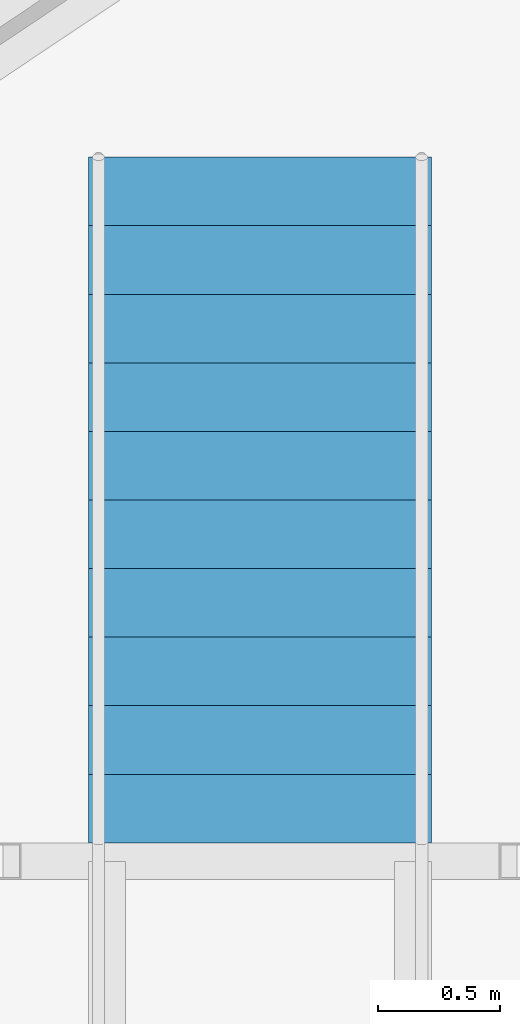
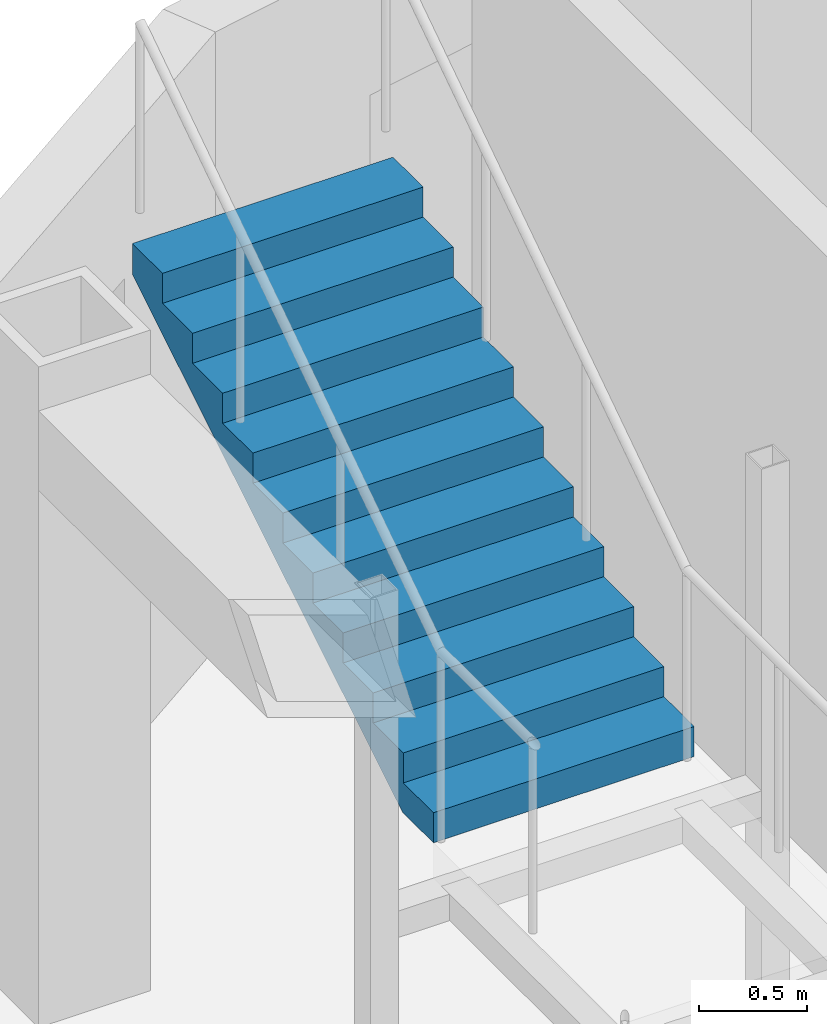
# One storey, part 25 of 26: 1 stair flight, 1 element without a shape of its own.
"""IFC4 building model written with IfcOpenShell, lengths in metres."""

from ifc_helpers import new_model, si_unit, direction, frame, origin, place, context, subcontext, project, spatial, triangles, material, type_object, element, aggregate, save


model = new_model("IFC4")

# Units and contexts
model_context = context("Model", 3, precision=1e-05, world=origin(), true_north=direction((0.0, 1.0)))
body_context = subcontext(model_context, "Body", "Model", "MODEL_VIEW")
ifc_project = project(units=[si_unit("LENGTHUNIT", "METRE"), si_unit("AREAUNIT", "SQUARE_METRE"), si_unit("VOLUMEUNIT", "CUBIC_METRE"), si_unit("PLANEANGLEUNIT", "RADIAN"), si_unit("MASSUNIT", "GRAM", prefix="KILO")], contexts=[model_context])

# Site, building, storey
site_placement = place(None, origin())
site = spatial("IfcSite", under=ifc_project, at=site_placement, CompositionType="ELEMENT")
building_placement = place(site_placement, origin())
building = spatial("IfcBuilding", under=site, at=building_placement, Name="Orbita Commons", CompositionType="ELEMENT")
storey_placement = place(building_placement, frame((0.0, 0.0, 231.550048828125)))
storey = spatial("IfcBuildingStorey", under=building, at=storey_placement, Name="L57", CompositionType="ELEMENT", Elevation=231.550048828125)

# Stair, stair flight
ifc_material_1 = material(Name="Steel ASTM A992 stringers, precast concrete C40/50 terrazzo treads", Category="concrete")
stair_type = type_object("IfcStairType", Name="Feature stair 22 risers 170 x 280 x 1400", PredefinedType="STRAIGHT_RUN_STAIR", material=ifc_material_1)
stair_placement = place(storey_placement, origin())
stair = element("IfcStair", 1, at=stair_placement, inside=storey, type_object=stair_type, Name="Neighbourhood stair L57 to L58", PredefinedType="STRAIGHT_RUN_STAIR")
ifc_material_2 = material(Name="Steel ASTM A992 stringers, precast concrete C40/50 terrazzo treads", Category="concrete")
stair_flight_type = type_object("IfcStairFlightType", Name="Feature stair flight 11 risers 170 x 1400", PredefinedType="STRAIGHT", material=ifc_material_2)
stair_flight_placement = place(storey_placement, frame((13.39990234375, 47.860107421875, 1.875), z_axis=(0.0, 0.0, 1.0), x_axis=(0.0, 1.0, 0.0)))
stair_flight = element("IfcStairFlight", 2, at=stair_flight_placement, type_object=stair_flight_type, Name="FS flight 2", NumberOfRisers=11, NumberOfTreads=10, PredefinedType="STRAIGHT", RiserHeight=0.170454545, TreadLength=0.28, context=body_context, shape_type="Tessellation", body=[
    triangles([(0.0, 0.699951, 0.0), (0.0, 0.699951, 0.021307), (0.0, 0.583293, 0.021307), (0.0, 0.583293, 0.0), (0.0, 0.466634, 0.021307), (0.0, 0.466634, 0.0), (0.0, 0.349976, 0.021307), (0.0, 0.349976, 0.0), (0.0, 0.233317, 0.021307), (0.0, 0.233317, 0.0), (0.0, 0.116659, 0.021307), (0.0, 0.116659, 0.0), (0.0, 0.0, 0.021307), (0.0, 0.0, 0.0), (0.0, -0.116659, 0.021307), (0.0, -0.116659, 0.0), (0.0, -0.233317, 0.021307), (0.0, -0.233317, 0.0), (0.0, -0.349976, 0.021307), (0.0, -0.349976, 0.0), (0.0, -0.466634, 0.021307), (0.0, -0.466634, 0.0), (0.0, -0.583293, 0.021307), (0.0, -0.583293, 0.0), (0.0, -0.699951, 0.021307), (0.0, -0.699951, 0.0), (0.0, 0.699951, 0.042614), (0.0, 0.583293, 0.042614), (0.0, 0.466634, 0.042614), (0.0, 0.349976, 0.042614), (0.0, 0.233317, 0.042614), (0.0, 0.116659, 0.042614), (0.0, 0.0, 0.042614), (0.0, -0.116659, 0.042614), (0.0, -0.233317, 0.042614), (0.0, -0.349976, 0.042614), (0.0, -0.466634, 0.042614), (0.0, -0.583293, 0.042614), (0.0, -0.699951, 0.042614), (0.0, 0.699951, 0.06392), (0.0, 0.583293, 0.06392), (0.0, 0.466634, 0.06392), (0.0, 0.349976, 0.06392), (0.0, 0.233317, 0.06392), (0.0, 0.116659, 0.06392), (0.0, 0.0, 0.06392), (0.0, -0.116659, 0.06392), (0.0, -0.233317, 0.06392), (0.0, -0.349976, 0.06392), (0.0, -0.466634, 0.06392), (0.0, -0.583293, 0.06392), (0.0, -0.699951, 0.06392), (0.0, 0.699951, 0.085227), (0.0, 0.583293, 0.085227), (0.0, 0.466634, 0.085227), (0.0, 0.349976, 0.085227), (0.0, 0.233317, 0.085227), (0.0, 0.116659, 0.085227), (0.0, 0.0, 0.085227), (0.0, -0.116659, 0.085227), (0.0, -0.233317, 0.085227), (0.0, -0.349976, 0.085227), (0.0, -0.466634, 0.085227), (0.0, -0.583293, 0.085227), (0.0, -0.699951, 0.085227), (0.0, 0.699951, 0.106534), (0.0, 0.583293, 0.106534), (0.0, 0.466634, 0.106534), (0.0, 0.349976, 0.106534), (0.0, 0.233317, 0.106534), (0.0, 0.116659, 0.106534), (0.0, 0.0, 0.106534), (0.0, -0.116659, 0.106534), (0.0, -0.233317, 0.106534), (0.0, -0.349976, 0.106534), (0.0, -0.466634, 0.106534), (0.0, -0.583293, 0.106534), (0.0, -0.699951, 0.106534), (0.0, 0.699951, 0.127841), (0.0, 0.583293, 0.127841), (0.0, 0.466634, 0.127841), (0.0, 0.349976, 0.127841), (0.0, 0.233317, 0.127841), (0.0, 0.116659, 0.127841), (0.0, 0.0, 0.127841), (0.0, -0.116659, 0.127841), (0.0, -0.233317, 0.127841), (0.0, -0.349976, 0.127841), (0.0, -0.466634, 0.127841), (0.0, -0.583293, 0.127841), (0.0, -0.699951, 0.127841), (0.0, 0.699951, 0.149148), (0.0, 0.583293, 0.149148), (0.0, 0.466634, 0.149148), (0.0, 0.349976, 0.149148), (0.0, 0.233317, 0.149148), (0.0, 0.116659, 0.149148), (0.0, 0.0, 0.149148), (0.0, -0.116659, 0.149148), (0.0, -0.233317, 0.149148), (0.0, -0.349976, 0.149148), (0.0, -0.466634, 0.149148), (0.0, -0.583293, 0.149148), (0.0, -0.699951, 0.149148), (0.0, 0.699951, 0.170455), (0.0, 0.583293, 0.170455), (0.0, 0.466634, 0.170455), (0.0, 0.349976, 0.170455), (0.0, 0.233317, 0.170455), (0.0, 0.116659, 0.170455), (0.0, 0.0, 0.170455), (0.0, -0.116659, 0.170455), (0.0, -0.233317, 0.170455), (0.0, -0.349976, 0.170455), (0.0, -0.466634, 0.170455), (0.0, -0.583293, 0.170455), (0.0, -0.699951, 0.170455), (0.28, 0.699951, 0.170455), (0.28, 0.583293, 0.170455), (0.28, 0.466634, 0.170455), (0.28, 0.349976, 0.170455), (0.28, 0.233317, 0.170455), (0.28, 0.116659, 0.170455), (0.28, 0.0, 0.170455), (0.28, -0.116659, 0.170455), (0.28, -0.233317, 0.170455), (0.28, -0.349976, 0.170455), (0.28, -0.466634, 0.170455), (0.28, -0.583293, 0.170455), (0.28, -0.699951, 0.170455), (0.28, 0.699951, 0.340909), (0.28, 0.583293, 0.340909), (0.28, 0.466634, 0.340909), (0.28, 0.349976, 0.340909), (0.28, 0.233317, 0.340909), (0.28, 0.116659, 0.340909), (0.28, 0.0, 0.340909), (0.28, -0.116659, 0.340909), (0.28, -0.233317, 0.340909), (0.28, -0.349976, 0.340909), (0.28, -0.466634, 0.340909), (0.28, -0.583293, 0.340909), (0.28, -0.699951, 0.340909), (0.56, 0.699951, 0.340909), (0.56, 0.583293, 0.340909), (0.56, 0.466634, 0.340909), (0.56, 0.349976, 0.340909), (0.56, 0.233317, 0.340909), (0.56, 0.116659, 0.340909), (0.56, 0.0, 0.340909), (0.56, -0.116659, 0.340909), (0.56, -0.233317, 0.340909), (0.56, -0.349976, 0.340909), (0.56, -0.466634, 0.340909), (0.56, -0.583293, 0.340909), (0.56, -0.699951, 0.340909), (0.56, 0.699951, 0.511364), (0.56, 0.583293, 0.511364), (0.56, 0.466634, 0.511364), (0.56, 0.349976, 0.511364), (0.56, 0.233317, 0.511364), (0.56, 0.116659, 0.511364), (0.56, 0.0, 0.511364), (0.56, -0.116659, 0.511364), (0.56, -0.233317, 0.511364), (0.56, -0.349976, 0.511364), (0.56, -0.466634, 0.511364), (0.56, -0.583293, 0.511364), (0.56, -0.699951, 0.511364), (0.84, 0.699951, 0.511364), (0.84, 0.583293, 0.511364), (0.84, 0.466634, 0.511364), (0.84, 0.349976, 0.511364), (0.84, 0.233317, 0.511364), (0.84, 0.116659, 0.511364), (0.84, 0.0, 0.511364), (0.84, -0.116659, 0.511364), (0.84, -0.233317, 0.511364), (0.84, -0.349976, 0.511364), (0.84, -0.466634, 0.511364), (0.84, -0.583293, 0.511364), (0.84, -0.699951, 0.511364), (0.84, 0.699951, 0.681818), (0.84, 0.583293, 0.681818), (0.84, 0.466634, 0.681818), (0.84, 0.349976, 0.681818), (0.84, 0.233317, 0.681818), (0.84, 0.116659, 0.681818), (0.84, 0.0, 0.681818), (0.84, -0.116659, 0.681818), (0.84, -0.233317, 0.681818), (0.84, -0.349976, 0.681818), (0.84, -0.466634, 0.681818), (0.84, -0.583293, 0.681818), (0.84, -0.699951, 0.681818), (1.12, 0.699951, 0.681818), (1.12, 0.583293, 0.681818), (1.12, 0.466634, 0.681818), (1.12, 0.349976, 0.681818), (1.12, 0.233317, 0.681818), (1.12, 0.116659, 0.681818), (1.12, 0.0, 0.681818), (1.12, -0.116659, 0.681818), (1.12, -0.233317, 0.681818), (1.12, -0.349976, 0.681818), (1.12, -0.466634, 0.681818), (1.12, -0.583293, 0.681818), (1.12, -0.699951, 0.681818), (1.12, 0.699951, 0.852273), (1.12, 0.583293, 0.852273), (1.12, 0.466634, 0.852273), (1.12, 0.349976, 0.852273), (1.12, 0.233317, 0.852273), (1.12, 0.116659, 0.852273), (1.12, 0.0, 0.852273), (1.12, -0.116659, 0.852273), (1.12, -0.233317, 0.852273), (1.12, -0.349976, 0.852273), (1.12, -0.466634, 0.852273), (1.12, -0.583293, 0.852273), (1.12, -0.699951, 0.852273), (1.4, 0.699951, 0.852273), (1.4, 0.583293, 0.852273), (1.4, 0.466634, 0.852273), (1.4, 0.349976, 0.852273), (1.4, 0.233317, 0.852273), (1.4, 0.116659, 0.852273), (1.4, 0.0, 0.852273), (1.4, -0.116659, 0.852273), (1.4, -0.233317, 0.852273), (1.4, -0.349976, 0.852273), (1.4, -0.466634, 0.852273), (1.4, -0.583293, 0.852273), (1.4, -0.699951, 0.852273), (1.4, 0.699951, 1.022727), (1.4, 0.583293, 1.022727), (1.4, 0.466634, 1.022727), (1.4, 0.349976, 1.022727), (1.4, 0.233317, 1.022727), (1.4, 0.116659, 1.022727), (1.4, 0.0, 1.022727), (1.4, -0.116659, 1.022727), (1.4, -0.233317, 1.022727), (1.4, -0.349976, 1.022727), (1.4, -0.466634, 1.022727), (1.4, -0.583293, 1.022727), (1.4, -0.699951, 1.022727), (1.68, 0.699951, 1.022727), (1.68, 0.583293, 1.022727), (1.68, 0.466634, 1.022727), (1.68, 0.349976, 1.022727), (1.68, 0.233317, 1.022727), (1.68, 0.116659, 1.022727), (1.68, 0.0, 1.022727), (1.68, -0.116659, 1.022727), (1.68, -0.233317, 1.022727), (1.68, -0.349976, 1.022727), (1.68, -0.466634, 1.022727), (1.68, -0.583293, 1.022727), (1.68, -0.699951, 1.022727), (1.68, 0.699951, 1.193182), (1.68, 0.583293, 1.193182), (1.68, 0.466634, 1.193182), (1.68, 0.349976, 1.193182), (1.68, 0.233317, 1.193182), (1.68, 0.116659, 1.193182), (1.68, 0.0, 1.193182), (1.68, -0.116659, 1.193182), (1.68, -0.233317, 1.193182), (1.68, -0.349976, 1.193182), (1.68, -0.466634, 1.193182), (1.68, -0.583293, 1.193182), (1.68, -0.699951, 1.193182), (1.96, 0.699951, 1.193182), (1.96, 0.583293, 1.193182), (1.96, 0.466634, 1.193182), (1.96, 0.349976, 1.193182), (1.96, 0.233317, 1.193182), (1.96, 0.116659, 1.193182), (1.96, 0.0, 1.193182), (1.96, -0.116659, 1.193182), (1.96, -0.233317, 1.193182), (1.96, -0.349976, 1.193182), (1.96, -0.466634, 1.193182), (1.96, -0.583293, 1.193182), (1.96, -0.699951, 1.193182), (1.96, 0.699951, 1.363636), (1.96, 0.583293, 1.363636), (1.96, 0.466634, 1.363636), (1.96, 0.349976, 1.363636), (1.96, 0.233317, 1.363636), (1.96, 0.116659, 1.363636), (1.96, 0.0, 1.363636), (1.96, -0.116659, 1.363636), (1.96, -0.233317, 1.363636), (1.96, -0.349976, 1.363636), (1.96, -0.466634, 1.363636), (1.96, -0.583293, 1.363636), (1.96, -0.699951, 1.363636), (2.24, 0.699951, 1.363636), (2.24, 0.583293, 1.363636), (2.24, 0.466634, 1.363636), (2.24, 0.349976, 1.363636), (2.24, 0.233317, 1.363636), (2.24, 0.116659, 1.363636), (2.24, 0.0, 1.363636), (2.24, -0.116659, 1.363636), (2.24, -0.233317, 1.363636), (2.24, -0.349976, 1.363636), (2.24, -0.466634, 1.363636), (2.24, -0.583293, 1.363636), (2.24, -0.699951, 1.363636), (2.24, 0.699951, 1.534091), (2.24, 0.583293, 1.534091), (2.24, 0.466634, 1.534091), (2.24, 0.349976, 1.534091), (2.24, 0.233317, 1.534091), (2.24, 0.116659, 1.534091), (2.24, 0.0, 1.534091), (2.24, -0.116659, 1.534091), (2.24, -0.233317, 1.534091), (2.24, -0.349976, 1.534091), (2.24, -0.466634, 1.534091), (2.24, -0.583293, 1.534091), (2.24, -0.699951, 1.534091), (2.52, 0.699951, 1.534091), (2.52, 0.583293, 1.534091), (2.52, 0.466634, 1.534091), (2.52, 0.349976, 1.534091), (2.52, 0.233317, 1.534091), (2.52, 0.116659, 1.534091), (2.52, 0.0, 1.534091), (2.52, -0.116659, 1.534091), (2.52, -0.233317, 1.534091), (2.52, -0.349976, 1.534091), (2.52, -0.466634, 1.534091), (2.52, -0.583293, 1.534091), (2.52, -0.699951, 1.534091), (2.52, 0.699951, 1.704545), (2.52, 0.583293, 1.704545), (2.52, 0.466634, 1.704545), (2.52, 0.349976, 1.704545), (2.52, 0.233317, 1.704545), (2.52, 0.116659, 1.704545), (2.52, 0.0, 1.704545), (2.52, -0.116659, 1.704545), (2.52, -0.233317, 1.704545), (2.52, -0.349976, 1.704545), (2.52, -0.466634, 1.704545), (2.52, -0.583293, 1.704545), (2.52, -0.699951, 1.704545), (2.8, 0.699951, 1.704545), (2.8, 0.583293, 1.704545), (2.8, 0.466634, 1.704545), (2.8, 0.349976, 1.704545), (2.8, 0.233317, 1.704545), (2.8, 0.116659, 1.704545), (2.8, 0.0, 1.704545), (2.8, -0.116659, 1.704545), (2.8, -0.233317, 1.704545), (2.8, -0.349976, 1.704545), (2.8, -0.466634, 1.704545), (2.8, -0.583293, 1.704545), (2.8, -0.699951, 1.704545), (2.8, 0.699951, 1.682609), (2.8, 0.583293, 1.682609), (2.8, 0.466634, 1.682609), (2.8, 0.349976, 1.682609), (2.8, 0.233317, 1.682609), (2.8, 0.116659, 1.682609), (2.8, 0.0, 1.682609), (2.8, -0.116659, 1.682609), (2.8, -0.233317, 1.682609), (2.8, -0.349976, 1.682609), (2.8, -0.466634, 1.682609), (2.8, -0.583293, 1.682609), (2.8, -0.699951, 1.682609), (2.8, 0.699951, 1.660672), (2.8, 0.583293, 1.660672), (2.8, 0.466634, 1.660672), (2.8, 0.349976, 1.660672), (2.8, 0.233317, 1.660672), (2.8, 0.116659, 1.660672), (2.8, 0.0, 1.660672), (2.8, -0.116659, 1.660672), (2.8, -0.233317, 1.660672), (2.8, -0.349976, 1.660672), (2.8, -0.466634, 1.660672), (2.8, -0.583293, 1.660672), (2.8, -0.699951, 1.660672), (2.8, 0.699951, 1.638735), (2.8, 0.583293, 1.638735), (2.8, 0.466634, 1.638735), (2.8, 0.349976, 1.638735), (2.8, 0.233317, 1.638735), (2.8, 0.116659, 1.638735), (2.8, 0.0, 1.638735), (2.8, -0.116659, 1.638735), (2.8, -0.233317, 1.638735), (2.8, -0.349976, 1.638735), (2.8, -0.466634, 1.638735), (2.8, -0.583293, 1.638735), (2.8, -0.699951, 1.638735), (2.8, 0.699951, 1.616798), (2.8, 0.583293, 1.616798), (2.8, 0.466634, 1.616798), (2.8, 0.349976, 1.616798), (2.8, 0.233317, 1.616798), (2.8, 0.116659, 1.616798), (2.8, 0.0, 1.616798), (2.8, -0.116659, 1.616798), (2.8, -0.233317, 1.616798), (2.8, -0.349976, 1.616798), (2.8, -0.466634, 1.616798), (2.8, -0.583293, 1.616798), (2.8, -0.699951, 1.616798), (2.8, 0.699951, 1.594861), (2.8, 0.583293, 1.594861), (2.8, 0.466634, 1.594861), (2.8, 0.349976, 1.594861), (2.8, 0.233317, 1.594861), (2.8, 0.116659, 1.594861), (2.8, 0.0, 1.594861), (2.8, -0.116659, 1.594861), (2.8, -0.233317, 1.594861), (2.8, -0.349976, 1.594861), (2.8, -0.466634, 1.594861), (2.8, -0.583293, 1.594861), (2.8, -0.699951, 1.594861), (2.8, 0.699951, 1.572925), (2.8, 0.583293, 1.572925), (2.8, 0.466634, 1.572925), (2.8, 0.349976, 1.572925), (2.8, 0.233317, 1.572925), (2.8, 0.116659, 1.572925), (2.8, 0.0, 1.572925), (2.8, -0.116659, 1.572925), (2.8, -0.233317, 1.572925), (2.8, -0.349976, 1.572925), (2.8, -0.466634, 1.572925), (2.8, -0.583293, 1.572925), (2.8, -0.699951, 1.572925), (2.8, 0.699951, 1.550988), (2.8, 0.583293, 1.550988), (2.8, 0.466634, 1.550988), (2.8, 0.349976, 1.550988), (2.8, 0.233317, 1.550988), (2.8, 0.116659, 1.550988), (2.8, 0.0, 1.550988), (2.8, -0.116659, 1.550988), (2.8, -0.233317, 1.550988), (2.8, -0.349976, 1.550988), (2.8, -0.466634, 1.550988), (2.8, -0.583293, 1.550988), (2.8, -0.699951, 1.550988), (2.8, 0.699951, 1.529051), (2.8, 0.583293, 1.529051), (2.8, 0.466634, 1.529051), (2.8, 0.349976, 1.529051), (2.8, 0.233317, 1.529051), (2.8, 0.116659, 1.529051), (2.8, 0.0, 1.529051), (2.8, -0.116659, 1.529051), (2.8, -0.233317, 1.529051), (2.8, -0.349976, 1.529051), (2.8, -0.466634, 1.529051), (2.8, -0.583293, 1.529051), (2.8, -0.699951, 1.529051), (0.288279, 0.699951, 0.0), (0.288279, 0.583293, 0.0), (0.288279, 0.466634, 0.0), (0.288279, 0.349976, 0.0), (0.288279, 0.233317, 0.0), (0.288279, 0.116659, 0.0), (0.288279, 0.0, 0.0), (0.288279, -0.116659, 0.0), (0.288279, -0.233317, 0.0), (0.288279, -0.349976, 0.0), (0.288279, -0.466634, 0.0), (0.288279, -0.583293, 0.0), (0.288279, -0.699951, 0.0)], [[3, 2, 1], [4, 3, 1], [5, 3, 4], [6, 5, 4], [7, 5, 6], [8, 7, 6], [9, 7, 8], [10, 9, 8], [11, 9, 10], [12, 11, 10], [13, 11, 12], [14, 13, 12], [15, 13, 14], [16, 15, 14], [17, 15, 16], [18, 17, 16], [19, 17, 18], [20, 19, 18], [21, 19, 20], [22, 21, 20], [23, 21, 22], [24, 23, 22], [25, 23, 24], [26, 25, 24], [28, 27, 2], [3, 28, 2], [29, 28, 3], [5, 29, 3], [30, 29, 5], [7, 30, 5], [31, 30, 7], [9, 31, 7], [32, 31, 9], [11, 32, 9], [33, 32, 11], [13, 33, 11], [34, 33, 13], [15, 34, 13], [35, 34, 15], [17, 35, 15], [36, 35, 17], [19, 36, 17], [37, 36, 19], [21, 37, 19], [38, 37, 21], [23, 38, 21], [39, 38, 23], [25, 39, 23], [41, 40, 27], [28, 41, 27], [42, 41, 28], [29, 42, 28], [43, 42, 29], [30, 43, 29], [44, 43, 30], [31, 44, 30], [45, 44, 31], [32, 45, 31], [46, 45, 32], [33, 46, 32], [47, 46, 33], [34, 47, 33], [48, 47, 34], [35, 48, 34], [49, 48, 35], [36, 49, 35], [50, 49, 36], [37, 50, 36], [51, 50, 37], [38, 51, 37], [52, 51, 38], [39, 52, 38], [54, 53, 40], [41, 54, 40], [55, 54, 41], [42, 55, 41], [56, 55, 42], [43, 56, 42], [57, 56, 43], [44, 57, 43], [58, 57, 44], [45, 58, 44], [59, 58, 45], [46, 59, 45], [60, 59, 46], [47, 60, 46], [61, 60, 47], [48, 61, 47], [62, 61, 48], [49, 62, 48], [63, 62, 49], [50, 63, 49], [64, 63, 50], [51, 64, 50], [65, 64, 51], [52, 65, 51], [67, 66, 53], [54, 67, 53], [68, 67, 54], [55, 68, 54], [69, 68, 55], [56, 69, 55], [70, 69, 56], [57, 70, 56], [71, 70, 57], [58, 71, 57], [72, 71, 58], [59, 72, 58], [73, 72, 59], [60, 73, 59], [74, 73, 60], [61, 74, 60], [75, 74, 61], [62, 75, 61], [76, 75, 62], [63, 76, 62], [77, 76, 63], [64, 77, 63], [78, 77, 64], [65, 78, 64], [80, 79, 66], [67, 80, 66], [81, 80, 67], [68, 81, 67], [82, 81, 68], [69, 82, 68], [83, 82, 69], [70, 83, 69], [84, 83, 70], [71, 84, 70], [85, 84, 71], [72, 85, 71], [86, 85, 72], [73, 86, 72], [87, 86, 73], [74, 87, 73], [88, 87, 74], [75, 88, 74], [89, 88, 75], [76, 89, 75], [90, 89, 76], [77, 90, 76], [91, 90, 77], [78, 91, 77], [93, 92, 79], [80, 93, 79], [94, 93, 80], [81, 94, 80], [95, 94, 81], [82, 95, 81], [96, 95, 82], [83, 96, 82], [97, 96, 83], [84, 97, 83], [98, 97, 84], [85, 98, 84], [99, 98, 85], [86, 99, 85], [100, 99, 86], [87, 100, 86], [101, 100, 87], [88, 101, 87], [102, 101, 88], [89, 102, 88], [103, 102, 89], [90, 103, 89], [104, 103, 90], [91, 104, 90], [106, 105, 92], [93, 106, 92], [107, 106, 93], [94, 107, 93], [108, 107, 94], [95, 108, 94], [109, 108, 95], [96, 109, 95], [110, 109, 96], [97, 110, 96], [111, 110, 97], [98, 111, 97], [112, 111, 98], [99, 112, 98], [113, 112, 99], [100, 113, 99], [114, 113, 100], [101, 114, 100], [115, 114, 101], [102, 115, 101], [116, 115, 102], [103, 116, 102], [117, 116, 103], [104, 117, 103], [119, 118, 105], [106, 119, 105], [120, 119, 106], [107, 120, 106], [121, 120, 107], [108, 121, 107], [122, 121, 108], [109, 122, 108], [123, 122, 109], [110, 123, 109], [124, 123, 110], [111, 124, 110], [125, 124, 111], [112, 125, 111], [126, 125, 112], [113, 126, 112], [127, 126, 113], [114, 127, 113], [128, 127, 114], [115, 128, 114], [129, 128, 115], [116, 129, 115], [130, 129, 116], [117, 130, 116], [132, 131, 118], [119, 132, 118], [133, 132, 119], [120, 133, 119], [134, 133, 120], [121, 134, 120], [135, 134, 121], [122, 135, 121], [136, 135, 122], [123, 136, 122], [137, 136, 123], [124, 137, 123], [138, 137, 124], [125, 138, 124], [139, 138, 125], [126, 139, 125], [140, 139, 126], [127, 140, 126], [141, 140, 127], [128, 141, 127], [142, 141, 128], [129, 142, 128], [143, 142, 129], [130, 143, 129], [145, 144, 131], [132, 145, 131], [146, 145, 132], [133, 146, 132], [147, 146, 133], [134, 147, 133], [148, 147, 134], [135, 148, 134], [149, 148, 135], [136, 149, 135], [150, 149, 136], [137, 150, 136], [151, 150, 137], [138, 151, 137], [152, 151, 138], [139, 152, 138], [153, 152, 139], [140, 153, 139], [154, 153, 140], [141, 154, 140], [155, 154, 141], [142, 155, 141], [156, 155, 142], [143, 156, 142], [158, 157, 144], [145, 158, 144], [159, 158, 145], [146, 159, 145], [160, 159, 146], [147, 160, 146], [161, 160, 147], [148, 161, 147], [162, 161, 148], [149, 162, 148], [163, 162, 149], [150, 163, 149], [164, 163, 150], [151, 164, 150], [165, 164, 151], [152, 165, 151], [166, 165, 152], [153, 166, 152], [167, 166, 153], [154, 167, 153], [168, 167, 154], [155, 168, 154], [169, 168, 155], [156, 169, 155], [171, 170, 157], [158, 171, 157], [172, 171, 158], [159, 172, 158], [173, 172, 159], [160, 173, 159], [174, 173, 160], [161, 174, 160], [175, 174, 161], [162, 175, 161], [176, 175, 162], [163, 176, 162], [177, 176, 163], [164, 177, 163], [178, 177, 164], [165, 178, 164], [179, 178, 165], [166, 179, 165], [180, 179, 166], [167, 180, 166], [181, 180, 167], [168, 181, 167], [182, 181, 168], [169, 182, 168], [184, 183, 170], [171, 184, 170], [185, 184, 171], [172, 185, 171], [186, 185, 172], [173, 186, 172], [187, 186, 173], [174, 187, 173], [188, 187, 174], [175, 188, 174], [189, 188, 175], [176, 189, 175], [190, 189, 176], [177, 190, 176], [191, 190, 177], [178, 191, 177], [192, 191, 178], [179, 192, 178], [193, 192, 179], [180, 193, 179], [194, 193, 180], [181, 194, 180], [195, 194, 181], [182, 195, 181], [197, 196, 183], [184, 197, 183], [198, 197, 184], [185, 198, 184], [199, 198, 185], [186, 199, 185], [200, 199, 186], [187, 200, 186], [201, 200, 187], [188, 201, 187], [202, 201, 188], [189, 202, 188], [203, 202, 189], [190, 203, 189], [204, 203, 190], [191, 204, 190], [205, 204, 191], [192, 205, 191], [206, 205, 192], [193, 206, 192], [207, 206, 193], [194, 207, 193], [208, 207, 194], [195, 208, 194], [210, 209, 196], [197, 210, 196], [211, 210, 197], [198, 211, 197], [212, 211, 198], [199, 212, 198], [213, 212, 199], [200, 213, 199], [214, 213, 200], [201, 214, 200], [215, 214, 201], [202, 215, 201], [216, 215, 202], [203, 216, 202], [217, 216, 203], [204, 217, 203], [218, 217, 204], [205, 218, 204], [219, 218, 205], [206, 219, 205], [220, 219, 206], [207, 220, 206], [221, 220, 207], [208, 221, 207], [223, 222, 209], [210, 223, 209], [224, 223, 210], [211, 224, 210], [225, 224, 211], [212, 225, 211], [226, 225, 212], [213, 226, 212], [227, 226, 213], [214, 227, 213], [228, 227, 214], [215, 228, 214], [229, 228, 215], [216, 229, 215], [230, 229, 216], [217, 230, 216], [231, 230, 217], [218, 231, 217], [232, 231, 218], [219, 232, 218], [233, 232, 219], [220, 233, 219], [234, 233, 220], [221, 234, 220], [236, 235, 222], [223, 236, 222], [237, 236, 223], [224, 237, 223], [238, 237, 224], [225, 238, 224], [239, 238, 225], [226, 239, 225], [240, 239, 226], [227, 240, 226], [241, 240, 227], [228, 241, 227], [242, 241, 228], [229, 242, 228], [243, 242, 229], [230, 243, 229], [244, 243, 230], [231, 244, 230], [245, 244, 231], [232, 245, 231], [246, 245, 232], [233, 246, 232], [247, 246, 233], [234, 247, 233], [249, 248, 235], [236, 249, 235], [250, 249, 236], [237, 250, 236], [251, 250, 237], [238, 251, 237], [252, 251, 238], [239, 252, 238], [253, 252, 239], [240, 253, 239], [254, 253, 240], [241, 254, 240], [255, 254, 241], [242, 255, 241], [256, 255, 242], [243, 256, 242], [257, 256, 243], [244, 257, 243], [258, 257, 244], [245, 258, 244], [259, 258, 245], [246, 259, 245], [260, 259, 246], [247, 260, 246], [262, 261, 248], [249, 262, 248], [263, 262, 249], [250, 263, 249], [264, 263, 250], [251, 264, 250], [265, 264, 251], [252, 265, 251], [266, 265, 252], [253, 266, 252], [267, 266, 253], [254, 267, 253], [268, 267, 254], [255, 268, 254], [269, 268, 255], [256, 269, 255], [270, 269, 256], [257, 270, 256], [271, 270, 257], [258, 271, 257], [272, 271, 258], [259, 272, 258], [273, 272, 259], [260, 273, 259], [275, 274, 261], [262, 275, 261], [276, 275, 262], [263, 276, 262], [277, 276, 263], [264, 277, 263], [278, 277, 264], [265, 278, 264], [279, 278, 265], [266, 279, 265], [280, 279, 266], [267, 280, 266], [281, 280, 267], [268, 281, 267], [282, 281, 268], [269, 282, 268], [283, 282, 269], [270, 283, 269], [284, 283, 270], [271, 284, 270], [285, 284, 271], [272, 285, 271], [286, 285, 272], [273, 286, 272], [288, 287, 274], [275, 288, 274], [289, 288, 275], [276, 289, 275], [290, 289, 276], [277, 290, 276], [291, 290, 277], [278, 291, 277], [292, 291, 278], [279, 292, 278], [293, 292, 279], [280, 293, 279], [294, 293, 280], [281, 294, 280], [295, 294, 281], [282, 295, 281], [296, 295, 282], [283, 296, 282], [297, 296, 283], [284, 297, 283], [298, 297, 284], [285, 298, 284], [299, 298, 285], [286, 299, 285], [301, 300, 287], [288, 301, 287], [302, 301, 288], [289, 302, 288], [303, 302, 289], [290, 303, 289], [304, 303, 290], [291, 304, 290], [305, 304, 291], [292, 305, 291], [306, 305, 292], [293, 306, 292], [307, 306, 293], [294, 307, 293], [308, 307, 294], [295, 308, 294], [309, 308, 295], [296, 309, 295], [310, 309, 296], [297, 310, 296], [311, 310, 297], [298, 311, 297], [312, 311, 298], [299, 312, 298], [314, 313, 300], [301, 314, 300], [315, 314, 301], [302, 315, 301], [316, 315, 302], [303, 316, 302], [317, 316, 303], [304, 317, 303], [318, 317, 304], [305, 318, 304], [319, 318, 305], [306, 319, 305], [320, 319, 306], [307, 320, 306], [321, 320, 307], [308, 321, 307], [322, 321, 308], [309, 322, 308], [323, 322, 309], [310, 323, 309], [324, 323, 310], [311, 324, 310], [325, 324, 311], [312, 325, 311], [327, 326, 313], [314, 327, 313], [328, 327, 314], [315, 328, 314], [329, 328, 315], [316, 329, 315], [330, 329, 316], [317, 330, 316], [331, 330, 317], [318, 331, 317], [332, 331, 318], [319, 332, 318], [333, 332, 319], [320, 333, 319], [334, 333, 320], [321, 334, 320], [335, 334, 321], [322, 335, 321], [336, 335, 322], [323, 336, 322], [337, 336, 323], [324, 337, 323], [338, 337, 324], [325, 338, 324], [340, 339, 326], [327, 340, 326], [341, 340, 327], [328, 341, 327], [342, 341, 328], [329, 342, 328], [343, 342, 329], [330, 343, 329], [344, 343, 330], [331, 344, 330], [345, 344, 331], [332, 345, 331], [346, 345, 332], [333, 346, 332], [347, 346, 333], [334, 347, 333], [348, 347, 334], [335, 348, 334], [349, 348, 335], [336, 349, 335], [350, 349, 336], [337, 350, 336], [351, 350, 337], [338, 351, 337], [353, 352, 339], [340, 353, 339], [354, 353, 340], [341, 354, 340], [355, 354, 341], [342, 355, 341], [356, 355, 342], [343, 356, 342], [357, 356, 343], [344, 357, 343], [358, 357, 344], [345, 358, 344], [359, 358, 345], [346, 359, 345], [360, 359, 346], [347, 360, 346], [361, 360, 347], [348, 361, 347], [362, 361, 348], [349, 362, 348], [363, 362, 349], [350, 363, 349], [364, 363, 350], [351, 364, 350], [366, 365, 352], [353, 366, 352], [367, 366, 353], [354, 367, 353], [368, 367, 354], [355, 368, 354], [369, 368, 355], [356, 369, 355], [370, 369, 356], [357, 370, 356], [371, 370, 357], [358, 371, 357], [372, 371, 358], [359, 372, 358], [373, 372, 359], [360, 373, 359], [374, 373, 360], [361, 374, 360], [375, 374, 361], [362, 375, 361], [376, 375, 362], [363, 376, 362], [377, 376, 363], [364, 377, 363], [379, 378, 365], [366, 379, 365], [380, 379, 366], [367, 380, 366], [381, 380, 367], [368, 381, 367], [382, 381, 368], [369, 382, 368], [383, 382, 369], [370, 383, 369], [384, 383, 370], [371, 384, 370], [385, 384, 371], [372, 385, 371], [386, 385, 372], [373, 386, 372], [387, 386, 373], [374, 387, 373], [388, 387, 374], [375, 388, 374], [389, 388, 375], [376, 389, 375], [390, 389, 376], [377, 390, 376], [392, 391, 378], [379, 392, 378], [393, 392, 379], [380, 393, 379], [394, 393, 380], [381, 394, 380], [395, 394, 381], [382, 395, 381], [396, 395, 382], [383, 396, 382], [397, 396, 383], [384, 397, 383], [398, 397, 384], [385, 398, 384], [399, 398, 385], [386, 399, 385], [400, 399, 386], [387, 400, 386], [401, 400, 387], [388, 401, 387], [402, 401, 388], [389, 402, 388], [403, 402, 389], [390, 403, 389], [405, 404, 391], [392, 405, 391], [406, 405, 392], [393, 406, 392], [407, 406, 393], [394, 407, 393], [408, 407, 394], [395, 408, 394], [409, 408, 395], [396, 409, 395], [410, 409, 396], [397, 410, 396], [411, 410, 397], [398, 411, 397], [412, 411, 398], [399, 412, 398], [413, 412, 399], [400, 413, 399], [414, 413, 400], [401, 414, 400], [415, 414, 401], [402, 415, 401], [416, 415, 402], [403, 416, 402], [418, 417, 404], [405, 418, 404], [419, 418, 405], [406, 419, 405], [420, 419, 406], [407, 420, 406], [421, 420, 407], [408, 421, 407], [422, 421, 408], [409, 422, 408], [423, 422, 409], [410, 423, 409], [424, 423, 410], [411, 424, 410], [425, 424, 411], [412, 425, 411], [426, 425, 412], [413, 426, 412], [427, 426, 413], [414, 427, 413], [428, 427, 414], [415, 428, 414], [429, 428, 415], [416, 429, 415], [431, 430, 417], [418, 431, 417], [432, 431, 418], [419, 432, 418], [433, 432, 419], [420, 433, 419], [434, 433, 420], [421, 434, 420], [435, 434, 421], [422, 435, 421], [436, 435, 422], [423, 436, 422], [437, 436, 423], [424, 437, 423], [438, 437, 424], [425, 438, 424], [439, 438, 425], [426, 439, 425], [440, 439, 426], [427, 440, 426], [441, 440, 427], [428, 441, 427], [442, 441, 428], [429, 442, 428], [444, 443, 430], [431, 444, 430], [445, 444, 431], [432, 445, 431], [446, 445, 432], [433, 446, 432], [447, 446, 433], [434, 447, 433], [448, 447, 434], [435, 448, 434], [449, 448, 435], [436, 449, 435], [450, 449, 436], [437, 450, 436], [451, 450, 437], [438, 451, 437], [452, 451, 438], [439, 452, 438], [453, 452, 439], [440, 453, 439], [454, 453, 440], [441, 454, 440], [455, 454, 441], [442, 455, 441], [457, 456, 443], [444, 457, 443], [458, 457, 444], [445, 458, 444], [459, 458, 445], [446, 459, 445], [460, 459, 446], [447, 460, 446], [461, 460, 447], [448, 461, 447], [462, 461, 448], [449, 462, 448], [463, 462, 449], [450, 463, 449], [464, 463, 450], [451, 464, 450], [465, 464, 451], [452, 465, 451], [466, 465, 452], [453, 466, 452], [467, 466, 453], [454, 467, 453], [468, 467, 454], [455, 468, 454], [470, 469, 456], [457, 470, 456], [471, 470, 457], [458, 471, 457], [472, 471, 458], [459, 472, 458], [473, 472, 459], [460, 473, 459], [474, 473, 460], [461, 474, 460], [475, 474, 461], [462, 475, 461], [476, 475, 462], [463, 476, 462], [477, 476, 463], [464, 477, 463], [478, 477, 464], [465, 478, 464], [479, 478, 465], [466, 479, 465], [480, 479, 466], [467, 480, 466], [481, 480, 467], [468, 481, 467], [4, 1, 469], [470, 4, 469], [6, 4, 470], [471, 6, 470], [8, 6, 471], [472, 8, 471], [10, 8, 472], [473, 10, 472], [12, 10, 473], [474, 12, 473], [14, 12, 474], [475, 14, 474], [16, 14, 475], [476, 16, 475], [18, 16, 476], [477, 18, 476], [20, 18, 477], [478, 20, 477], [22, 20, 478], [479, 22, 478], [24, 22, 479], [480, 24, 479], [26, 24, 480], [481, 26, 480], [456, 469, 1], [26, 481, 468], [443, 456, 1], [26, 468, 455], [430, 443, 1], [26, 455, 442], [417, 430, 1], [26, 442, 429], [404, 417, 1], [26, 429, 416], [391, 404, 1], [26, 416, 403], [378, 391, 1], [26, 403, 390], [365, 378, 1], [26, 390, 377], [339, 352, 365], [377, 364, 351], [326, 339, 365], [377, 351, 338], [300, 313, 326], [338, 325, 312], [300, 326, 365], [377, 338, 312], [274, 287, 300], [312, 299, 286], [274, 300, 365], [377, 312, 286], [248, 261, 274], [286, 273, 260], [248, 274, 365], [377, 286, 260], [222, 235, 248], [260, 247, 234], [222, 248, 365], [377, 260, 234], [196, 209, 222], [234, 221, 208], [196, 222, 365], [377, 234, 208], [170, 183, 196], [208, 195, 182], [170, 196, 365], [377, 208, 182], [144, 157, 170], [182, 169, 156], [144, 170, 365], [377, 182, 156], [118, 131, 144], [156, 143, 130], [118, 144, 365], [377, 156, 130], [118, 365, 1], [26, 377, 130], [92, 105, 118], [130, 117, 104], [79, 92, 118], [130, 104, 91], [66, 79, 118], [130, 91, 78], [53, 66, 118], [130, 78, 65], [40, 53, 118], [130, 65, 52], [27, 40, 118], [130, 52, 39], [2, 27, 118], [130, 39, 25], [1, 2, 118], [130, 25, 26]], closed=True),
])
aggregate(stair, [stair_flight])

save(model, "model.ifc")
